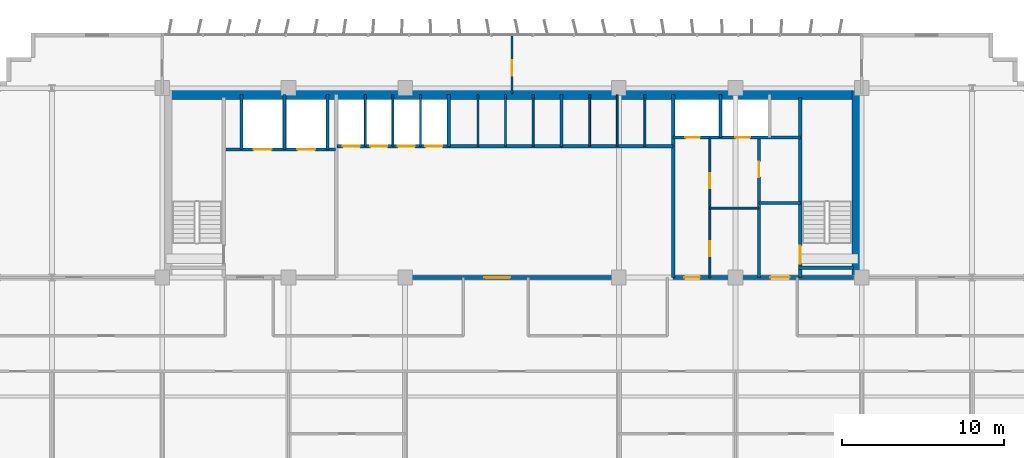
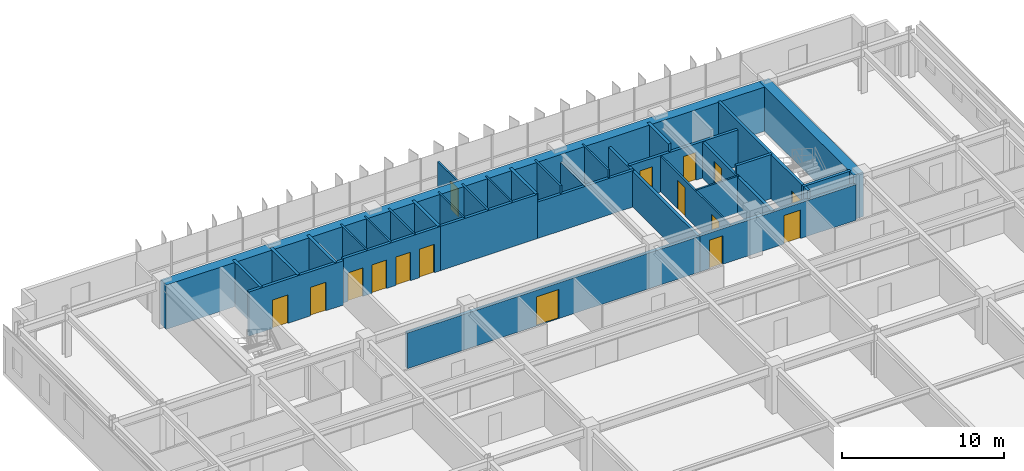
# One storey, part 17 of 21: 32 walls, 16 doors, 16 openings.
"""IFC4 building model written with IfcOpenShell, lengths in metres."""

from ifc_helpers import new_model, si_unit, direction, frame, frame_2d, origin, place, context, subcontext, project, spatial, rectangle, extrude, source, transform, mapped, material, layer, layer_set, type_object, element, fill, save


model = new_model("IFC4")

# Units and contexts
model_context = context("Model", 3, precision=1e-05, world=origin(), true_north=direction((0.0, 1.0)))
body_context = subcontext(model_context, "Body", "Model", "MODEL_VIEW")
ifc_project = project(units=[si_unit("LENGTHUNIT", "METRE"), si_unit("AREAUNIT", "SQUARE_METRE"), si_unit("VOLUMEUNIT", "CUBIC_METRE"), si_unit("PLANEANGLEUNIT", "RADIAN"), si_unit("MASSUNIT", "GRAM", prefix="KILO")], contexts=[model_context])

# Site, building, storey
site_placement = place(None, origin())
site = spatial("IfcSite", under=ifc_project, at=site_placement, CompositionType="ELEMENT")
building_placement = place(site_placement, origin())
building = spatial("IfcBuilding", under=site, at=building_placement, Name="Trelvane Seafront Commons", CompositionType="ELEMENT")
storey_placement = place(building_placement, frame((0.0, 0.0, 37.89990234375)))
storey = spatial("IfcBuildingStorey", under=building, at=storey_placement, Name="L09", CompositionType="ELEMENT", Elevation=37.89990234375)

# Wall, opening, door
ifc_material_1 = material(Name="Concrete C40/50", Category="concrete")
ifc_layer_1 = layer(ifc_material_1, 0.199951171875, Name="ARCH-WALL-FIRE200")
ifc_layer_set_1 = layer_set([ifc_layer_1], Name="Concrete C40/50")
wall_type_1 = type_object("IfcWallType", Name="ARCH-WALL-FIRE200", PredefinedType="PARTITIONING", material=ifc_layer_set_1)
wall_1_placement = place(storey_placement, frame((52.449951171875, 33.39990234375, 0.0), z_axis=(0.0, 0.0, 1.0), x_axis=(0.0, 1.0, 0.0)))
wall_1 = element("IfcWall", 1, at=wall_1_placement, inside=storey, type_object=wall_type_1, Name="W-L09-ST2V-W-033", PredefinedType="PARTITIONING", context=body_context, shape_type="SweptSolid", body=[
    extrude(rectangle(XDim=8.650146484375, YDim=0.199951171875, at=frame_2d((4.3251953125, 0.0))), origin(), (0.0, 0.0, 1.0), 2.690185546875),
])
opening_1_placement = place(wall_1_placement, frame((6.199951171875, 0.0, 0.0)))
opening_1 = element("IfcOpeningElement", 2, at=opening_1_placement, cuts=wall_1, Name="Opening FD-L09-13", PredefinedType="OPENING", context=body_context, shape_type="SweptSolid", body=[
    extrude(rectangle(XDim=0.949951171875, YDim=2.14990234375, at=frame_2d((0.47509765625, 1.074951171875))), frame((0.0, 0.10986328125, 0.0), z_axis=(0.0, -1.0, 0.0), x_axis=(1.0, 0.0, 0.0)), (0.0, 0.0, 1.0), 0.219970703125),
])
ifc_material_2 = material(Name="Powder-coated aluminium frame", Category="aluminium")
door_type_1 = type_object("IfcDoorType", Name="ARCH-DR-FD60-950", OperationType="NOTDEFINED", PredefinedType="DOOR", material=ifc_material_2)
shared_shape_1 = source(origin(), body_context, "Body", "SweptSolid", [
    extrude(rectangle(XDim=0.949951171875, YDim=2.14990234375, at=frame_2d((0.47509765625, 1.074951171875))), frame((0.0, 0.02490234375, 0.0), z_axis=(0.0, -1.0, 0.0), x_axis=(1.0, 0.0, 0.0)), (0.0, 0.0, 1.0), 0.050048828125),
])
door_1_placement = place(opening_1_placement, origin())
door_1 = element("IfcDoor", 3, at=door_1_placement, inside=storey, type_object=door_type_1, Name="L09 Cleaner Store Door", OperationType="SINGLE_SWING_LEFT", OverallHeight=2.14990234375, OverallWidth=0.949951171875, PredefinedType="DOOR", context=body_context, shape_type="MappedRepresentation", body=[
    mapped(shared_shape_1, transform((0.0, 0.0, 0.0), x_axis=(1.0, 0.0, 0.0), y_axis=(0.0, 1.0, 0.0), z_axis=(0.0, 0.0, 1.0), scale=1.0)),
])
fill(opening_1, door_1)

# Wall
wall_2_placement = place(storey_placement, frame((52.449951171875, 38.0, 0.0), z_axis=(0.0, 0.0, 1.0), x_axis=(1.0, 0.0, 0.0)))
element("IfcWall", 4, at=wall_2_placement, inside=storey, type_object=wall_type_1, Name="W-L09-ST2V-N-034", PredefinedType="PARTITIONING", context=body_context, shape_type="SweptSolid", body=[
    extrude(rectangle(XDim=2.550048828125, YDim=0.199951171875, at=frame_2d((1.27490234375, 0.0))), origin(), (0.0, 0.0, 1.0), 3.340087890625),
])

# Wall, opening, door
ifc_layer_2 = layer(ifc_material_1, 0.25, Name="ARCH-WALL-FIRE250")
ifc_layer_set_2 = layer_set([ifc_layer_2], Name="Concrete C40/50")
wall_type_2 = type_object("IfcWallType", Name="ARCH-WALL-FIRE250", PredefinedType="PARTITIONING", material=ifc_layer_set_2)
wall_3_placement = place(storey_placement, frame((26.300048828125, 33.39990234375, 0.0), z_axis=(0.0, 0.0, 1.0), x_axis=(1.0, 0.0, 0.0)))
wall_3 = element("IfcWall", 5, at=wall_3_placement, inside=storey, type_object=wall_type_2, Name="W-L09-CS-PAX-029", PredefinedType="PARTITIONING", context=body_context, shape_type="SweptSolid", body=[
    extrude(rectangle(XDim=20.849853515625, YDim=0.25, at=frame_2d((10.4248046875, 0.0))), origin(), (0.0, 0.0, 1.0), 2.690185546875),
])
opening_2_placement = place(wall_3_placement, frame((9.199951171875, 0.0, 0.0)))
opening_2 = element("IfcOpeningElement", 6, at=opening_2_placement, cuts=wall_3, Name="Opening FD-L09-10", PredefinedType="OPENING", context=body_context, shape_type="SweptSolid", body=[
    extrude(rectangle(XDim=1.60009765625, YDim=2.199951171875, at=frame_2d((0.800048828125, 1.10009765625))), frame((0.0, 0.135009765625, 0.0), z_axis=(0.0, -1.0, 0.0), x_axis=(1.0, 0.0, 0.0)), (0.0, 0.0, 1.0), 0.27001953125),
])
door_type_2 = type_object("IfcDoorType", Name="ARCH-DR-FD60-1600", OperationType="DOUBLE_DOOR_SINGLE_SWING", PredefinedType="DOOR", material=ifc_material_2)
shared_shape_2 = source(origin(), body_context, "Body", "SweptSolid", [
    extrude(rectangle(XDim=1.60009765625, YDim=2.199951171875, at=frame_2d((0.800048828125, 1.10009765625))), frame((0.0, 0.02490234375, 0.0), z_axis=(0.0, -1.0, 0.0), x_axis=(1.0, 0.0, 0.0)), (0.0, 0.0, 1.0), 0.050048828125),
])
door_2_placement = place(opening_2_placement, origin())
door_2 = element("IfcDoor", 7, at=door_2_placement, inside=storey, type_object=door_type_2, Name="L09 Passenger Lift Lobby Double Door", OperationType="DOUBLE_DOOR_SINGLE_SWING", OverallHeight=2.199951171875, OverallWidth=1.60009765625, PredefinedType="DOOR", context=body_context, shape_type="MappedRepresentation", body=[
    mapped(shared_shape_2, transform((0.0, 0.0, 0.0), x_axis=(1.0, 0.0, 0.0), y_axis=(0.0, 1.0, 0.0), z_axis=(0.0, 0.0, 1.0), scale=1.0)),
])
fill(opening_2, door_2)

# Wall, openings, doors
wall_4_placement = place(storey_placement, frame((47.14990234375, 33.39990234375, 0.0), z_axis=(0.0, 0.0, 1.0), x_axis=(1.0, 0.0, 0.0)))
wall_4 = element("IfcWall", 8, at=wall_4_placement, inside=storey, type_object=wall_type_2, Name="W-L09-CS-EAST-037", PredefinedType="PARTITIONING", context=body_context, shape_type="SweptSolid", body=[
    extrude(rectangle(XDim=11.150146484375, YDim=0.25, at=frame_2d((5.5751953125, 0.0))), origin(), (0.0, 0.0, 1.0), 2.690185546875),
])
opening_3_placement = place(wall_4_placement, frame((0.699951171875, 0.0, 0.0)))
opening_3 = element("IfcOpeningElement", 9, at=opening_3_placement, cuts=wall_4, Name="Opening FD-L09-16", PredefinedType="OPENING", context=body_context, shape_type="SweptSolid", body=[
    extrude(rectangle(XDim=0.949951171875, YDim=2.14990234375, at=frame_2d((0.47509765625, 1.074951171875))), frame((0.0, 0.135009765625, 0.0), z_axis=(0.0, -1.0, 0.0), x_axis=(1.0, 0.0, 0.0)), (0.0, 0.0, 1.0), 0.27001953125),
])
opening_4_placement = place(wall_4_placement, frame((6.0, 0.0, 0.0)))
opening_4 = element("IfcOpeningElement", 10, at=opening_4_placement, cuts=wall_4, Name="Opening FD-L09-17", PredefinedType="OPENING", context=body_context, shape_type="SweptSolid", body=[
    extrude(rectangle(XDim=1.199951171875, YDim=2.14990234375, at=frame_2d((0.60009765625, 1.074951171875))), frame((0.0, 0.135009765625, 0.0), z_axis=(0.0, -1.0, 0.0), x_axis=(1.0, 0.0, 0.0)), (0.0, 0.0, 1.0), 0.27001953125),
])
door_3_placement = place(opening_3_placement, origin())
door_3 = element("IfcDoor", 11, at=door_3_placement, inside=storey, type_object=door_type_1, Name="L09 Core Service Lobby Door", OperationType="SINGLE_SWING_RIGHT", OverallHeight=2.14990234375, OverallWidth=0.949951171875, PredefinedType="DOOR", context=body_context, shape_type="MappedRepresentation", body=[
    mapped(shared_shape_1, transform((0.0, 0.0, 0.0), x_axis=(1.0, 0.0, 0.0), y_axis=(0.0, 1.0, 0.0), z_axis=(0.0, 0.0, 1.0), scale=1.0)),
])
fill(opening_3, door_3)
door_type_3 = type_object("IfcDoorType", Name="ARCH-DR-FD60-1200", OperationType="NOTDEFINED", PredefinedType="DOOR", material=ifc_material_2)
shared_shape_3 = source(origin(), body_context, "Body", "SweptSolid", [
    extrude(rectangle(XDim=1.199951171875, YDim=2.14990234375, at=frame_2d((0.60009765625, 1.074951171875))), frame((0.0, 0.02490234375, 0.0), z_axis=(0.0, -1.0, 0.0), x_axis=(1.0, 0.0, 0.0)), (0.0, 0.0, 1.0), 0.050048828125),
])
door_4_placement = place(opening_4_placement, origin())
door_4 = element("IfcDoor", 12, at=door_4_placement, inside=storey, type_object=door_type_3, Name="L09 East Stair Vestibule Fire Door", OperationType="SINGLE_SWING_LEFT", OverallHeight=2.14990234375, OverallWidth=1.199951171875, PredefinedType="DOOR", context=body_context, shape_type="MappedRepresentation", body=[
    mapped(shared_shape_3, transform((0.0, 0.0, 0.0), x_axis=(1.0, 0.0, 0.0), y_axis=(0.0, 1.0, 0.0), z_axis=(0.0, 0.0, 1.0), scale=1.0)),
])
fill(opening_4, door_4)

# Walls
ifc_material_3 = material(Name="Gypsum Drywall Acoustic Partition")
ifc_layer_3 = layer(ifc_material_3, 0.1201171875, Name="ARCH-WALL-PART120")
ifc_layer_set_3 = layer_set([ifc_layer_3], Name="Gypsum Drywall Acoustic Partition")
wall_type_3 = type_object("IfcWallType", Name="ARCH-WALL-PART120", PredefinedType="PARTITIONING", material=ifc_layer_set_3)
for number, where, z_axis, x_axis, name in (
    (13, (28.14990234375, 41.5, 0.0), (0.0, 0.0, 1.0), (0.0, 1.0, 0.0), "W-L09-PL-DIV1-016"),
    (14, (29.85009765625, 41.5, 0.0), (0.0, 0.0, 1.0), (0.0, 1.0, 0.0), "W-L09-PL-DIV2-017"),
    (15, (31.550048828125, 41.5, 0.0), (0.0, 0.0, 1.0), (0.0, 1.0, 0.0), "W-L09-PL-DIV3-018"),
    (16, (35.10009765625, 41.5, 0.0), (0.0, 0.0, 1.0), (0.0, 1.0, 0.0), "W-L09-PM-DIV1-020"),
    (17, (36.800048828125, 41.5, 0.0), (0.0, 0.0, 1.0), (0.0, 1.0, 0.0), "W-L09-PM-DIV2-021"),
    (18, (38.5, 41.5, 0.0), (0.0, 0.0, 1.0), (0.0, 1.0, 0.0), "W-L09-PM-DIV3-022"),
    (19, (42.0, 41.5, 0.0), (0.0, 0.0, 1.0), (0.0, 1.0, 0.0), "W-L09-PH-DIV1-025"),
):
    element("IfcWall", number, at=place(storey_placement, frame(where, z_axis=z_axis, x_axis=x_axis)), inside=storey, type_object=wall_type_3, Name=name, PredefinedType="PARTITIONING", context=body_context, shape_type="SweptSolid", body=[
        extrude(rectangle(XDim=3.199951171875, YDim=0.1201171875, at=frame_2d((1.60009765625, 0.0))), origin(), (0.0, 0.0, 1.0), 3.340087890625),
    ])
wall_5_placement = place(storey_placement, frame((43.699951171875, 41.5, 0.0), z_axis=(0.0, 0.0, 1.0), x_axis=(0.0, 1.0, 0.0)))
element("IfcWall", 20, at=wall_5_placement, inside=storey, type_object=wall_type_3, Name="W-L09-PH-DIV2-026", PredefinedType="PARTITIONING", context=body_context, shape_type="SweptSolid", body=[
    extrude(rectangle(XDim=3.199951171875, YDim=0.1201171875, at=frame_2d((1.60009765625, 0.0))), origin(), (0.0, 0.0, 1.0), 2.752197265625),
])
wall_6_placement = place(storey_placement, frame((45.39990234375, 41.5, 0.0), z_axis=(0.0, 0.0, 1.0), x_axis=(0.0, 1.0, 0.0)))
element("IfcWall", 21, at=wall_6_placement, inside=storey, type_object=wall_type_3, Name="W-L09-PH-DIV3-027", PredefinedType="PARTITIONING", context=body_context, shape_type="SweptSolid", body=[
    extrude(rectangle(XDim=3.199951171875, YDim=0.1201171875, at=frame_2d((1.60009765625, 0.0))), origin(), (0.0, 0.0, 1.0), 3.340087890625),
])

# Wall, openings, doors
wall_7_placement = place(storey_placement, frame((49.419921875, 33.39990234375, 0.0), z_axis=(0.0, 0.0, 1.0), x_axis=(0.0, 1.0, 0.0)))
wall_7 = element("IfcWall", 22, at=wall_7_placement, inside=storey, type_object=wall_type_3, Name="W-L09-CYC0-V-035", PredefinedType="PARTITIONING", context=body_context, shape_type="SweptSolid", body=[
    extrude(rectangle(XDim=8.60009765625, YDim=0.1201171875, at=frame_2d((4.300048828125, 0.0))), origin(), (0.0, 0.0, 1.0), 2.690185546875),
])
opening_5_placement = place(wall_7_placement, frame((1.300048828125, 0.0, 0.0)))
opening_5 = element("IfcOpeningElement", 23, at=opening_5_placement, cuts=wall_7, Name="Opening D-L09-14", PredefinedType="OPENING", context=body_context, shape_type="SweptSolid", body=[
    extrude(rectangle(XDim=0.949951171875, YDim=2.14990234375, at=frame_2d((0.47509765625, 1.074951171875))), frame((0.0, 0.070068359375, 0.0), z_axis=(0.0, -1.0, 0.0), x_axis=(1.0, 0.0, 0.0)), (0.0, 0.0, 1.0), 0.14013671875),
])
opening_6_placement = place(wall_7_placement, frame((5.5, 0.0, 0.0)))
opening_6 = element("IfcOpeningElement", 24, at=opening_6_placement, cuts=wall_7, Name="Opening D-L09-15", PredefinedType="OPENING", context=body_context, shape_type="SweptSolid", body=[
    extrude(rectangle(XDim=0.949951171875, YDim=2.14990234375, at=frame_2d((0.47509765625, 1.074951171875))), frame((0.0, 0.070068359375, 0.0), z_axis=(0.0, -1.0, 0.0), x_axis=(1.0, 0.0, 0.0)), (0.0, 0.0, 1.0), 0.14013671875),
])
ifc_material_4 = material(Name="Acoustic timber door leaf", Category="wood")
door_type_4 = type_object("IfcDoorType", Name="ARCH-DR-INT950", OperationType="NOTDEFINED", PredefinedType="DOOR", material=ifc_material_4)
door_5_placement = place(opening_5_placement, origin())
door_5 = element("IfcDoor", 25, at=door_5_placement, inside=storey, type_object=door_type_4, Name="L09 Accessible WC Door", OperationType="SINGLE_SWING_RIGHT", OverallHeight=2.14990234375, OverallWidth=0.949951171875, PredefinedType="DOOR", context=body_context, shape_type="MappedRepresentation", body=[
    mapped(shared_shape_1, transform((0.0, 0.0, 0.0), x_axis=(1.0, 0.0, 0.0), y_axis=(0.0, 1.0, 0.0), z_axis=(0.0, 0.0, 1.0), scale=1.0)),
])
fill(opening_5, door_5)
door_6_placement = place(opening_6_placement, origin())
door_6 = element("IfcDoor", 26, at=door_6_placement, inside=storey, type_object=door_type_4, Name="L09 Common WC Door", OperationType="SINGLE_SWING_LEFT", OverallHeight=2.14990234375, OverallWidth=0.949951171875, PredefinedType="DOOR", context=body_context, shape_type="MappedRepresentation", body=[
    mapped(shared_shape_1, transform((0.0, 0.0, 0.0), x_axis=(1.0, 0.0, 0.0), y_axis=(0.0, 1.0, 0.0), z_axis=(0.0, 0.0, 1.0), scale=1.0)),
])
fill(opening_6, door_6)

# Wall
wall_8_placement = place(storey_placement, frame((49.419921875, 37.679931640625, 0.0), z_axis=(0.0, 0.0, 1.0), x_axis=(1.0, 0.0, 0.0)))
element("IfcWall", 27, at=wall_8_placement, inside=storey, type_object=wall_type_3, Name="W-L09-CYC0-H-036", PredefinedType="PARTITIONING", context=body_context, shape_type="SweptSolid", body=[
    extrude(rectangle(XDim=3.030029296875, YDim=0.1201171875, at=frame_2d((1.51513671875, 0.0))), origin(), (0.0, 0.0, 1.0), 2.752197265625),
])

# Wall, opening, door
wall_9_placement = place(storey_placement, frame((37.199951171875, 44.75, 0.0), z_axis=(0.0, 0.0, 1.0), x_axis=(0.0, 1.0, 0.0)))
wall_9 = element("IfcWall", 28, at=wall_9_placement, inside=storey, type_object=wall_type_3, Name="W-L09-N-MID-DV-051", PredefinedType="PARTITIONING", context=body_context, shape_type="SweptSolid", body=[
    extrude(rectangle(XDim=3.610107421875, YDim=0.1201171875, at=frame_2d((1.80517578125, 0.0))), origin(), (0.0, 0.0, 1.0), 2.690185546875),
])
opening_7_placement = place(wall_9_placement, frame((1.10009765625, 0.0, 0.0)))
opening_7 = element("IfcOpeningElement", 29, at=opening_7_placement, cuts=wall_9, Name="Opening D-L09-25", PredefinedType="OPENING", context=body_context, shape_type="SweptSolid", body=[
    extrude(rectangle(XDim=0.949951171875, YDim=2.14990234375, at=frame_2d((0.47509765625, 1.074951171875))), frame((0.0, 0.070068359375, 0.0), z_axis=(0.0, -1.0, 0.0), x_axis=(1.0, 0.0, 0.0)), (0.0, 0.0, 1.0), 0.14013671875),
])
door_7_placement = place(opening_7_placement, origin())
door_7 = element("IfcDoor", 30, at=door_7_placement, inside=storey, type_object=door_type_4, Name="L09 Door 25", OperationType="SINGLE_SWING_LEFT", OverallHeight=2.14990234375, OverallWidth=0.949951171875, PredefinedType="DOOR", context=body_context, shape_type="MappedRepresentation", body=[
    mapped(shared_shape_1, transform((0.0, 0.0, 0.0), x_axis=(1.0, 0.0, 0.0), y_axis=(0.0, 1.0, 0.0), z_axis=(0.0, 0.0, 1.0), scale=1.0)),
])
fill(opening_7, door_7)

# Wall, openings, doors
ifc_layer_4 = layer(ifc_material_1, 0.199951171875, Name="ARCH-WALL-SHAFT200")
ifc_layer_set_4 = layer_set([ifc_layer_4], Name="Concrete C40/50")
wall_type_4 = type_object("IfcWallType", Name="ARCH-WALL-SHAFT200", PredefinedType="SOLIDWALL", material=ifc_layer_set_4)
wall_10_placement = place(storey_placement, frame((19.550048828125, 41.300048828125, 0.0), z_axis=(0.0, 0.0, 1.0), x_axis=(1.0, 0.0, 0.0)))
wall_10 = element("IfcWall", 31, at=wall_10_placement, inside=storey, type_object=wall_type_4, Name="W-L09-FFL-FRONT-008", PredefinedType="SOLIDWALL", context=body_context, shape_type="SweptSolid", body=[
    extrude(rectangle(XDim=6.75, YDim=0.199951171875, at=frame_2d((3.375, 0.0))), origin(), (0.0, 0.0, 1.0), 3.340087890625),
])
opening_8_placement = place(wall_10_placement, frame((1.699951171875, 0.0, 0.0)))
opening_8 = element("IfcOpeningElement", 32, at=opening_8_placement, cuts=wall_10, Name="Opening LD-FF1-L09", PredefinedType="OPENING", context=body_context, shape_type="SweptSolid", body=[
    extrude(rectangle(XDim=1.10009765625, YDim=2.14990234375, at=frame_2d((0.550048828125, 1.074951171875))), frame((0.0, 0.10986328125, 0.0), z_axis=(0.0, -1.0, 0.0), x_axis=(1.0, 0.0, 0.0)), (0.0, 0.0, 1.0), 0.219970703125),
])
opening_9_placement = place(wall_10_placement, frame((4.39990234375, 0.0, 0.0)))
opening_9 = element("IfcOpeningElement", 33, at=opening_9_placement, cuts=wall_10, Name="Opening LD-FF2-L09", PredefinedType="OPENING", context=body_context, shape_type="SweptSolid", body=[
    extrude(rectangle(XDim=1.10009765625, YDim=2.14990234375, at=frame_2d((0.550048828125, 1.074951171875))), frame((0.0, 0.10986328125, 0.0), z_axis=(0.0, -1.0, 0.0), x_axis=(1.0, 0.0, 0.0)), (0.0, 0.0, 1.0), 0.219970703125),
])
ifc_material_5 = material(Name="Stainless steel balustrade", Category="steel")
door_type_5 = type_object("IfcDoorType", Name="ARCH-DR-LD1100", OperationType="DOUBLE_DOOR_SLIDING", PredefinedType="DOOR", material=ifc_material_5)
shared_shape_4 = source(origin(), body_context, "Body", "SweptSolid", [
    extrude(rectangle(XDim=1.10009765625, YDim=2.14990234375, at=frame_2d((0.550048828125, 1.074951171875))), frame((0.0, 0.02490234375, 0.0), z_axis=(0.0, -1.0, 0.0), x_axis=(1.0, 0.0, 0.0)), (0.0, 0.0, 1.0), 0.050048828125),
])
door_8_placement = place(opening_8_placement, origin())
door_8 = element("IfcDoor", 34, at=door_8_placement, inside=storey, type_object=door_type_5, Name="L09 Firefighting Lift FFL-1 Landing Door", OperationType="DOUBLE_DOOR_SLIDING", OverallHeight=2.14990234375, OverallWidth=1.10009765625, PredefinedType="DOOR", context=body_context, shape_type="MappedRepresentation", body=[
    mapped(shared_shape_4, transform((0.0, 0.0, 0.0), x_axis=(1.0, 0.0, 0.0), y_axis=(0.0, 1.0, 0.0), z_axis=(0.0, 0.0, 1.0), scale=1.0)),
])
fill(opening_8, door_8)
door_9_placement = place(opening_9_placement, origin())
door_9 = element("IfcDoor", 35, at=door_9_placement, inside=storey, type_object=door_type_5, Name="L09 Firefighting Lift FFL-2 Landing Door", OperationType="DOUBLE_DOOR_SLIDING", OverallHeight=2.14990234375, OverallWidth=1.10009765625, PredefinedType="DOOR", context=body_context, shape_type="MappedRepresentation", body=[
    mapped(shared_shape_4, transform((0.0, 0.0, 0.0), x_axis=(1.0, 0.0, 0.0), y_axis=(0.0, 1.0, 0.0), z_axis=(0.0, 0.0, 1.0), scale=1.0)),
])
fill(opening_9, door_9)

# Walls
for number, where, z_axis, x_axis, name in (
    (36, (20.5, 41.300048828125, 0.0), (0.0, 0.0, 1.0), (0.0, 1.0, 0.0), "W-L09-FFL-SH-W-009"),
    (37, (23.14990234375, 41.300048828125, 0.0), (0.0, 0.0, 1.0), (0.0, 1.0, 0.0), "W-L09-FFL-DIV-010"),
    (38, (25.800048828125, 41.300048828125, 0.0), (0.0, 0.0, 1.0), (0.0, 1.0, 0.0), "W-L09-FFL-SH-E-011"),
):
    element("IfcWall", number, at=place(storey_placement, frame(where, z_axis=z_axis, x_axis=x_axis)), inside=storey, type_object=wall_type_4, Name=name, PredefinedType="SOLIDWALL", context=body_context, shape_type="SweptSolid", body=[
        extrude(rectangle(XDim=3.39990234375, YDim=0.199951171875, at=frame_2d((1.699951171875, 0.0))), origin(), (0.0, 0.0, 1.0), 3.340087890625),
    ])

# Wall, openings, doors
wall_11_placement = place(storey_placement, frame((26.39990234375, 41.5, 0.0), z_axis=(0.0, 0.0, 1.0), x_axis=(1.0, 0.0, 0.0)))
wall_11 = element("IfcWall", 39, at=wall_11_placement, inside=storey, type_object=wall_type_4, Name="W-L09-PL-FRONT-014", PredefinedType="SOLIDWALL", context=body_context, shape_type="SweptSolid", body=[
    extrude(rectangle(XDim=6.9501953125, YDim=0.199951171875, at=frame_2d((3.47509765625, 0.0))), origin(), (0.0, 0.0, 1.0), 3.340087890625),
])
opening_10_placement = place(wall_11_placement, frame((0.35009765625, 0.0, 0.0)))
opening_10 = element("IfcOpeningElement", 40, at=opening_10_placement, cuts=wall_11, Name="Opening LD-PL1-L09", PredefinedType="OPENING", context=body_context, shape_type="SweptSolid", body=[
    extrude(rectangle(XDim=1.050048828125, YDim=2.14990234375, at=frame_2d((0.52490234375, 1.074951171875))), frame((0.0, 0.10986328125, 0.0), z_axis=(0.0, -1.0, 0.0), x_axis=(1.0, 0.0, 0.0)), (0.0, 0.0, 1.0), 0.219970703125),
])
opening_11_placement = place(wall_11_placement, frame((2.050048828125, 0.0, 0.0)))
opening_11 = element("IfcOpeningElement", 41, at=opening_11_placement, cuts=wall_11, Name="Opening LD-PL2-L09", PredefinedType="OPENING", context=body_context, shape_type="SweptSolid", body=[
    extrude(rectangle(XDim=1.050048828125, YDim=2.14990234375, at=frame_2d((0.52490234375, 1.074951171875))), frame((0.0, 0.10986328125, 0.0), z_axis=(0.0, -1.0, 0.0), x_axis=(1.0, 0.0, 0.0)), (0.0, 0.0, 1.0), 0.219970703125),
])
opening_12_placement = place(wall_11_placement, frame((3.75, 0.0, 0.0)))
opening_12 = element("IfcOpeningElement", 42, at=opening_12_placement, cuts=wall_11, Name="Opening LD-PL3-L09", PredefinedType="OPENING", context=body_context, shape_type="SweptSolid", body=[
    extrude(rectangle(XDim=1.050048828125, YDim=2.14990234375, at=frame_2d((0.52490234375, 1.074951171875))), frame((0.0, 0.10986328125, 0.0), z_axis=(0.0, -1.0, 0.0), x_axis=(1.0, 0.0, 0.0)), (0.0, 0.0, 1.0), 0.219970703125),
])
opening_13_placement = place(wall_11_placement, frame((5.449951171875, 0.0, 0.0)))
opening_13 = element("IfcOpeningElement", 43, at=opening_13_placement, cuts=wall_11, Name="Opening LD-PL4-L09", PredefinedType="OPENING", context=body_context, shape_type="SweptSolid", body=[
    extrude(rectangle(XDim=1.050048828125, YDim=2.14990234375, at=frame_2d((0.52490234375, 1.074951171875))), frame((0.0, 0.10986328125, 0.0), z_axis=(0.0, -1.0, 0.0), x_axis=(1.0, 0.0, 0.0)), (0.0, 0.0, 1.0), 0.219970703125),
])
door_type_6 = type_object("IfcDoorType", Name="ARCH-DR-LD1050", OperationType="DOUBLE_DOOR_SLIDING", PredefinedType="DOOR", material=ifc_material_5)
shared_shape_5 = source(origin(), body_context, "Body", "SweptSolid", [
    extrude(rectangle(XDim=1.050048828125, YDim=2.14990234375, at=frame_2d((0.52490234375, 1.074951171875))), frame((0.0, 0.02490234375, 0.0), z_axis=(0.0, -1.0, 0.0), x_axis=(1.0, 0.0, 0.0)), (0.0, 0.0, 1.0), 0.050048828125),
])
door_10_placement = place(opening_10_placement, origin())
door_10 = element("IfcDoor", 44, at=door_10_placement, inside=storey, type_object=door_type_6, Name="L09 Passenger Lift PL-1 Landing Door", OperationType="DOUBLE_DOOR_SLIDING", OverallHeight=2.14990234375, OverallWidth=1.050048828125, PredefinedType="DOOR", context=body_context, shape_type="MappedRepresentation", body=[
    mapped(shared_shape_5, transform((0.0, 0.0, 0.0), x_axis=(1.0, 0.0, 0.0), y_axis=(0.0, 1.0, 0.0), z_axis=(0.0, 0.0, 1.0), scale=1.0)),
])
fill(opening_10, door_10)
door_11_placement = place(opening_11_placement, origin())
door_11 = element("IfcDoor", 45, at=door_11_placement, inside=storey, type_object=door_type_6, Name="L09 Passenger Lift PL-2 Landing Door", OperationType="DOUBLE_DOOR_SLIDING", OverallHeight=2.14990234375, OverallWidth=1.050048828125, PredefinedType="DOOR", context=body_context, shape_type="MappedRepresentation", body=[
    mapped(shared_shape_5, transform((0.0, 0.0, 0.0), x_axis=(1.0, 0.0, 0.0), y_axis=(0.0, 1.0, 0.0), z_axis=(0.0, 0.0, 1.0), scale=1.0)),
])
fill(opening_11, door_11)
door_12_placement = place(opening_12_placement, origin())
door_12 = element("IfcDoor", 46, at=door_12_placement, inside=storey, type_object=door_type_6, Name="L09 Passenger Lift PL-3 Landing Door", OperationType="DOUBLE_DOOR_SLIDING", OverallHeight=2.14990234375, OverallWidth=1.050048828125, PredefinedType="DOOR", context=body_context, shape_type="MappedRepresentation", body=[
    mapped(shared_shape_5, transform((0.0, 0.0, 0.0), x_axis=(1.0, 0.0, 0.0), y_axis=(0.0, 1.0, 0.0), z_axis=(0.0, 0.0, 1.0), scale=1.0)),
])
fill(opening_12, door_12)
door_13_placement = place(opening_13_placement, origin())
door_13 = element("IfcDoor", 47, at=door_13_placement, inside=storey, type_object=door_type_6, Name="L09 Passenger Lift PL-4 Landing Door", OperationType="DOUBLE_DOOR_SLIDING", OverallHeight=2.14990234375, OverallWidth=1.050048828125, PredefinedType="DOOR", context=body_context, shape_type="MappedRepresentation", body=[
    mapped(shared_shape_5, transform((0.0, 0.0, 0.0), x_axis=(1.0, 0.0, 0.0), y_axis=(0.0, 1.0, 0.0), z_axis=(0.0, 0.0, 1.0), scale=1.0)),
])
fill(opening_13, door_13)

# Walls
wall_12_placement = place(storey_placement, frame((33.300048828125, 41.5, 0.0), z_axis=(0.0, 0.0, 1.0), x_axis=(0.0, 1.0, 0.0)))
element("IfcWall", 48, at=wall_12_placement, inside=storey, type_object=wall_type_4, Name="W-L09-PL-EAST-SH-015", PredefinedType="SOLIDWALL", context=body_context, shape_type="SweptSolid", body=[
    extrude(rectangle(XDim=3.199951171875, YDim=0.199951171875, at=frame_2d((1.60009765625, 0.0))), origin(), (0.0, 0.0, 1.0), 3.340087890625),
])
wall_13_placement = place(storey_placement, frame((33.35009765625, 41.5, 0.0), z_axis=(0.0, 0.0, 1.0), x_axis=(1.0, 0.0, 0.0)))
element("IfcWall", 49, at=wall_13_placement, inside=storey, type_object=wall_type_4, Name="W-L09-PM-FRONT-019", PredefinedType="SOLIDWALL", context=body_context, shape_type="SweptSolid", body=[
    extrude(rectangle(XDim=6.89990234375, YDim=0.199951171875, at=frame_2d((3.449951171875, 0.0))), origin(), (0.0, 0.0, 1.0), 3.340087890625),
])
wall_14_placement = place(storey_placement, frame((40.25, 41.5, 0.0), z_axis=(0.0, 0.0, 1.0), x_axis=(1.0, 0.0, 0.0)))
element("IfcWall", 50, at=wall_14_placement, inside=storey, type_object=wall_type_4, Name="W-L09-PH-FRONT-023", PredefinedType="SOLIDWALL", context=body_context, shape_type="SweptSolid", body=[
    extrude(rectangle(XDim=6.89990234375, YDim=0.199951171875, at=frame_2d((3.449951171875, 0.0))), origin(), (0.0, 0.0, 1.0), 2.752197265625),
])
wall_15_placement = place(storey_placement, frame((40.25, 41.5, 0.0), z_axis=(0.0, 0.0, 1.0), x_axis=(0.0, 1.0, 0.0)))
element("IfcWall", 51, at=wall_15_placement, inside=storey, type_object=wall_type_4, Name="W-L09-PH-WEST-SH-024", PredefinedType="SOLIDWALL", context=body_context, shape_type="SweptSolid", body=[
    extrude(rectangle(XDim=3.199951171875, YDim=0.199951171875, at=frame_2d((1.60009765625, 0.0))), origin(), (0.0, 0.0, 1.0), 3.340087890625),
])
wall_16_placement = place(storey_placement, frame((47.14990234375, 33.39990234375, 0.0), z_axis=(0.0, 0.0, 1.0), x_axis=(0.0, 1.0, 0.0)))
element("IfcWall", 52, at=wall_16_placement, inside=storey, type_object=wall_type_4, Name="W-L09-PH-EAST-028", PredefinedType="SOLIDWALL", context=body_context, shape_type="SweptSolid", body=[
    extrude(rectangle(XDim=11.300048828125, YDim=0.199951171875, at=frame_2d((5.64990234375, 0.0))), origin(), (0.0, 0.0, 1.0), 2.690185546875),
])

# Wall, openings, doors
wall_17_placement = place(storey_placement, frame((47.14990234375, 42.050048828125, 0.0), z_axis=(0.0, 0.0, 1.0), x_axis=(1.0, 0.0, 0.0)))
wall_17 = element("IfcWall", 53, at=wall_17_placement, inside=storey, type_object=wall_type_4, Name="W-L09-RSR-S-030", PredefinedType="SOLIDWALL", context=body_context, shape_type="SweptSolid", body=[
    extrude(rectangle(XDim=7.85009765625, YDim=0.199951171875, at=frame_2d((3.925048828125, 0.0))), origin(), (0.0, 0.0, 1.0), 2.752197265625),
])
opening_14_placement = place(wall_17_placement, frame((0.75, 0.0, 0.0)))
opening_14 = element("IfcOpeningElement", 54, at=opening_14_placement, cuts=wall_17, Name="Opening FD-L09-11", PredefinedType="OPENING", context=body_context, shape_type="SweptSolid", body=[
    extrude(rectangle(XDim=0.89990234375, YDim=2.10009765625, at=frame_2d((0.449951171875, 1.050048828125))), frame((0.0, 0.10986328125, 0.0), z_axis=(0.0, -1.0, 0.0), x_axis=(1.0, 0.0, 0.0)), (0.0, 0.0, 1.0), 0.219970703125),
])
opening_15_placement = place(wall_17_placement, frame((3.85009765625, 0.0, 0.0)))
opening_15 = element("IfcOpeningElement", 55, at=opening_15_placement, cuts=wall_17, Name="Opening FD-L09-12", PredefinedType="OPENING", context=body_context, shape_type="SweptSolid", body=[
    extrude(rectangle(XDim=0.89990234375, YDim=2.10009765625, at=frame_2d((0.449951171875, 1.050048828125))), frame((0.0, 0.10986328125, 0.0), z_axis=(0.0, -1.0, 0.0), x_axis=(1.0, 0.0, 0.0)), (0.0, 0.0, 1.0), 0.219970703125),
])
door_type_7 = type_object("IfcDoorType", Name="ARCH-DR-FD60-900", OperationType="NOTDEFINED", PredefinedType="DOOR", material=ifc_material_2)
shared_shape_6 = source(origin(), body_context, "Body", "SweptSolid", [
    extrude(rectangle(XDim=0.89990234375, YDim=2.10009765625, at=frame_2d((0.449951171875, 1.050048828125))), frame((0.0, 0.02490234375, 0.0), z_axis=(0.0, -1.0, 0.0), x_axis=(1.0, 0.0, 0.0)), (0.0, 0.0, 1.0), 0.050048828125),
])
door_14_placement = place(opening_14_placement, origin())
door_14 = element("IfcDoor", 56, at=door_14_placement, inside=storey, type_object=door_type_7, Name="L09 Electrical Riser Access Door", OperationType="SINGLE_SWING_LEFT", OverallHeight=2.10009765625, OverallWidth=0.89990234375, PredefinedType="DOOR", context=body_context, shape_type="MappedRepresentation", body=[
    mapped(shared_shape_6, transform((0.0, 0.0, 0.0), x_axis=(1.0, 0.0, 0.0), y_axis=(0.0, 1.0, 0.0), z_axis=(0.0, 0.0, 1.0), scale=1.0)),
])
fill(opening_14, door_14)
door_15_placement = place(opening_15_placement, origin())
door_15 = element("IfcDoor", 57, at=door_15_placement, inside=storey, type_object=door_type_7, Name="L09 Mechanical Riser Access Door", OperationType="SINGLE_SWING_RIGHT", OverallHeight=2.10009765625, OverallWidth=0.89990234375, PredefinedType="DOOR", context=body_context, shape_type="MappedRepresentation", body=[
    mapped(shared_shape_6, transform((0.0, 0.0, 0.0), x_axis=(1.0, 0.0, 0.0), y_axis=(0.0, 1.0, 0.0), z_axis=(0.0, 0.0, 1.0), scale=1.0)),
])
fill(opening_15, door_15)

# Walls
wall_18_placement = place(storey_placement, frame((50.080078125, 42.050048828125, 0.0), z_axis=(0.0, 0.0, 1.0), x_axis=(0.0, 1.0, 0.0)))
element("IfcWall", 58, at=wall_18_placement, inside=storey, type_object=wall_type_4, Name="W-L09-RSR-DIV-031", PredefinedType="SOLIDWALL", context=body_context, shape_type="SweptSolid", body=[
    extrude(rectangle(XDim=2.64990234375, YDim=0.199951171875, at=frame_2d((1.324951171875, 0.0))), origin(), (0.0, 0.0, 1.0), 3.340087890625),
])
ifc_material_6 = material(Name="Concrete C60/75", Category="concrete")
ifc_layer_5 = layer(ifc_material_6, 0.699951171875, Name="STR-WALL-CORE700")
ifc_layer_set_5 = layer_set([ifc_layer_5], Name="Concrete C60/75")
wall_type_5 = type_object("IfcWallType", Name="STR-WALL-CORE700", PredefinedType="SHEAR", material=ifc_layer_set_5)
wall_19_placement = place(storey_placement, frame((15.5, 44.75, 0.0), z_axis=(0.0, 0.0, 1.0), x_axis=(1.0, 0.0, 0.0)))
element("IfcWall", 59, at=wall_19_placement, inside=storey, type_object=wall_type_5, Name="W-L09-CN-ALL-001", PredefinedType="SHEAR", context=body_context, shape_type="SweptSolid", body=[
    extrude(rectangle(XDim=43.39990234375, YDim=0.699951171875, at=frame_2d((21.699951171875, 0.0))), origin(), (0.0, 0.0, 1.0), 3.340087890625),
])
wall_20_placement = place(storey_placement, frame((58.550048828125, 33.39990234375, 0.0), z_axis=(0.0, 0.0, 1.0), x_axis=(0.0, 1.0, 0.0)))
element("IfcWall", 60, at=wall_20_placement, inside=storey, type_object=wall_type_5, Name="W-L09-CE-END-003", PredefinedType="SHEAR", context=body_context, shape_type="SweptSolid", body=[
    extrude(rectangle(XDim=11.7001953125, YDim=0.699951171875, at=frame_2d((5.85009765625, 0.0))), origin(), (0.0, 0.0, 1.0), 3.340087890625),
])
ifc_material_7 = material(Name="Concrete C50/60", Category="concrete")
ifc_layer_6 = layer(ifc_material_7, 0.199951171875, Name="STR-WALL-STAIR200")
ifc_layer_set_6 = layer_set([ifc_layer_6], Name="Concrete C50/60")
wall_type_6 = type_object("IfcWallType", Name="STR-WALL-STAIR200", PredefinedType="SHEAR", material=ifc_layer_set_6)
wall_21_placement = place(storey_placement, frame((54.89990234375, 34.0, 0.0), z_axis=(0.0, 0.0, 1.0), x_axis=(1.0, 0.0, 0.0)))
element("IfcWall", 61, at=wall_21_placement, inside=storey, type_object=wall_type_6, Name="W-L09-ST2-S-006", PredefinedType="SHEAR", context=body_context, shape_type="SweptSolid", body=[
    extrude(rectangle(XDim=3.400146484375, YDim=0.199951171875, at=frame_2d((1.7001953125, 0.0))), origin(), (0.0, 0.0, 1.0), 3.340087890625),
])

# Wall, opening, door
wall_22_placement = place(storey_placement, frame((55.0, 33.39990234375, 0.0), z_axis=(0.0, 0.0, 1.0), x_axis=(0.0, 1.0, 0.0)))
wall_22 = element("IfcWall", 62, at=wall_22_placement, inside=storey, type_object=wall_type_6, Name="W-L09-ST2-W-007", PredefinedType="SHEAR", context=body_context, shape_type="SweptSolid", body=[
    extrude(rectangle(XDim=11.10009765625, YDim=0.199951171875, at=frame_2d((5.550048828125, 0.0))), origin(), (0.0, 0.0, 1.0), 3.340087890625),
])
opening_16_placement = place(wall_22_placement, frame((0.85009765625, 0.0, 0.0)))
opening_16 = element("IfcOpeningElement", 63, at=opening_16_placement, cuts=wall_22, Name="Opening ST-D2-L09", PredefinedType="OPENING", context=body_context, shape_type="SweptSolid", body=[
    extrude(rectangle(XDim=1.10009765625, YDim=2.14990234375, at=frame_2d((0.550048828125, 1.074951171875))), frame((0.0, 0.10986328125, 0.0), z_axis=(0.0, -1.0, 0.0), x_axis=(1.0, 0.0, 0.0)), (0.0, 0.0, 1.0), 0.219970703125),
])
door_type_8 = type_object("IfcDoorType", Name="ARCH-DR-FD90-1100", OperationType="NOTDEFINED", PredefinedType="DOOR", material=ifc_material_2)
door_16_placement = place(opening_16_placement, origin())
door_16 = element("IfcDoor", 64, at=door_16_placement, inside=storey, type_object=door_type_8, Name="L09 Stair ST-2 Vestibule Fire Door", OperationType="SINGLE_SWING_RIGHT", OverallHeight=2.14990234375, OverallWidth=1.10009765625, PredefinedType="DOOR", context=body_context, shape_type="MappedRepresentation", body=[
    mapped(shared_shape_4, transform((0.0, 0.0, 0.0), x_axis=(1.0, 0.0, 0.0), y_axis=(0.0, 1.0, 0.0), z_axis=(0.0, 0.0, 1.0), scale=1.0)),
])
fill(opening_16, door_16)

save(model, "model.ifc")
